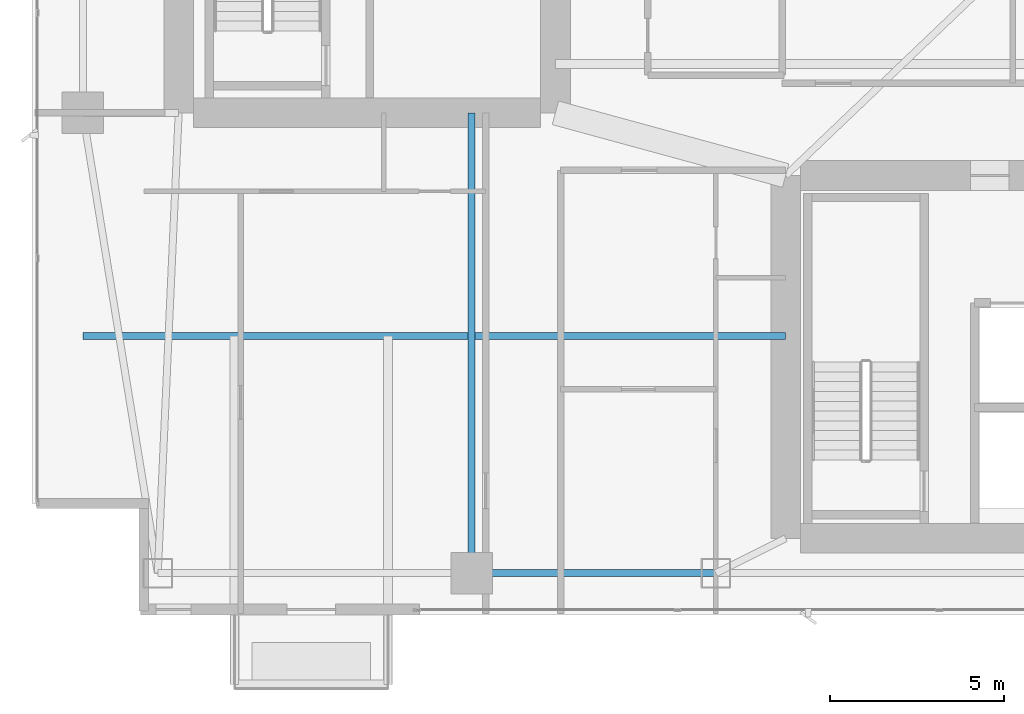
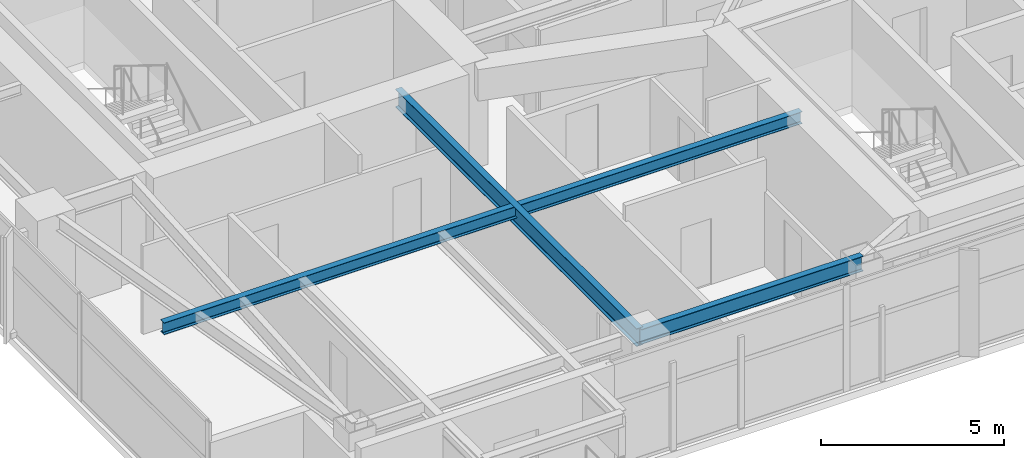
# One storey, part 5 of 29: 3 beams.
"""IFC4 building model written with IfcOpenShell, lengths in metres."""

from ifc_helpers import new_model, si_unit, direction, frame, origin, origin_2d, place, context, subcontext, project, spatial, i_section, extrude, material, material_profile, profile_set, type_object, element, save


model = new_model("IFC4")

# Units and contexts
model_context = context("Model", 3, precision=1e-05, world=origin(), true_north=direction((0.0, 1.0)))
body_context = subcontext(model_context, "Body", "Model", "MODEL_VIEW")
ifc_project = project(units=[si_unit("LENGTHUNIT", "METRE"), si_unit("AREAUNIT", "SQUARE_METRE"), si_unit("VOLUMEUNIT", "CUBIC_METRE"), si_unit("PLANEANGLEUNIT", "RADIAN"), si_unit("MASSUNIT", "GRAM", prefix="KILO")], contexts=[model_context])

# Site, building, storey
site_placement = place(None, origin())
site = spatial("IfcSite", under=ifc_project, at=site_placement, CompositionType="ELEMENT")
building_placement = place(site_placement, origin())
building = spatial("IfcBuilding", under=site, at=building_placement, Name="Calvorn Quay Hotel", CompositionType="ELEMENT")
storey_placement = place(building_placement, frame((0.0, 0.0, 175.10009765625)))
storey = spatial("IfcBuildingStorey", under=building, at=storey_placement, Name="L43", CompositionType="ELEMENT", Elevation=175.10009765625)

# Beams
ifc_material_1 = material(Name="Steel Q355B", Category="steel")
ifc_material_profile_1 = material_profile(ifc_material_1, i_section(OverallWidth=0.199951171875, OverallDepth=0.60009765625, WebThickness=0.010986328125, FlangeThickness=0.01708984375, FilletRadius=0.01806640625, at=origin_2d()), Name="HN600x200x11x17")
ifc_profile_set_1 = profile_set([ifc_material_profile_1], Name="Steel Q355B")
beam_type_1 = type_object("IfcBeamType", Name="BM-GIRD-TYP", PredefinedType="BEAM", material=ifc_profile_set_1)
beam_1_placement = place(storey_placement, frame((12.60009765625, 3.60009765625, 3.239990234375), z_axis=(0.0, 1.0, 0.0), x_axis=(-1.0, 0.0, 0.0)))
element("IfcBeam", 1, at=beam_1_placement, inside=storey, type_object=beam_type_1, Name="Beam BG-L43-S1", PredefinedType="BEAM", context=body_context, shape_type="SweptSolid", body=[
    extrude(i_section(OverallWidth=0.199951171875, OverallDepth=0.60009765625, WebThickness=0.010986328125, FlangeThickness=0.01708984375, FilletRadius=0.01806640625, at=origin_2d()), origin(), (0.0, 0.0, 1.0), 13.199951171875),
])
ifc_material_2 = material(Name="Steel Q355B", Category="steel")
ifc_material_profile_2 = material_profile(ifc_material_2, i_section(OverallWidth=0.199951171875, OverallDepth=0.39990234375, WebThickness=0.008056640625, FlangeThickness=0.012939453125, FilletRadius=0.01611328125, at=origin_2d()), Name="HN400x200x8x13")
ifc_profile_set_2 = profile_set([ifc_material_profile_2], Name="Steel Q355B")
beam_type_2 = type_object("IfcBeamType", Name="BM-JOIST-TYP", PredefinedType="JOIST", material=ifc_profile_set_2)
beam_2_placement = place(storey_placement, frame((1.449951171875, 10.39990234375, 3.33984375), z_axis=(1.0, 0.0, 0.0), x_axis=(0.0, 1.0, 0.0)))
element("IfcBeam", 2, at=beam_2_placement, inside=storey, type_object=beam_type_2, Name="Beam BJ-L43-W1", PredefinedType="JOIST", context=body_context, shape_type="SweptSolid", body=[
    extrude(i_section(OverallWidth=0.199951171875, OverallDepth=0.39990234375, WebThickness=0.008056640625, FlangeThickness=0.012939453125, FilletRadius=0.01611328125, at=origin_2d()), origin(), (0.0, 0.0, 1.0), 20.150146484375),
])
ifc_material_3 = material(Name="Steel Q355B", Category="steel")
ifc_material_profile_3 = material_profile(ifc_material_3, i_section(OverallWidth=0.199951171875, OverallDepth=0.5, WebThickness=0.010009765625, FlangeThickness=0.01611328125, FilletRadius=0.01611328125, at=origin_2d()), Name="HN500x200x10x16")
ifc_profile_set_3 = profile_set([ifc_material_profile_3], Name="Steel Q355B")
beam_type_3 = type_object("IfcBeamType", Name="BM-SPANDREL-Z1", PredefinedType="SPANDREL", material=ifc_profile_set_3)
beam_3_placement = place(storey_placement, frame((12.60009765625, 3.60009765625, 3.289794921875), z_axis=(1.0, 0.0, 0.0), x_axis=(0.0, 1.0, 0.0)))
element("IfcBeam", 3, at=beam_3_placement, inside=storey, type_object=beam_type_3, Name="Beam BSP-L43-S2", PredefinedType="SPANDREL", context=body_context, shape_type="SweptSolid", body=[
    extrude(i_section(OverallWidth=0.199951171875, OverallDepth=0.5, WebThickness=0.010009765625, FlangeThickness=0.01611328125, FilletRadius=0.01611328125, at=origin_2d()), origin(), (0.0, 0.0, 1.0), 7.0),
])

save(model, "model.ifc")
